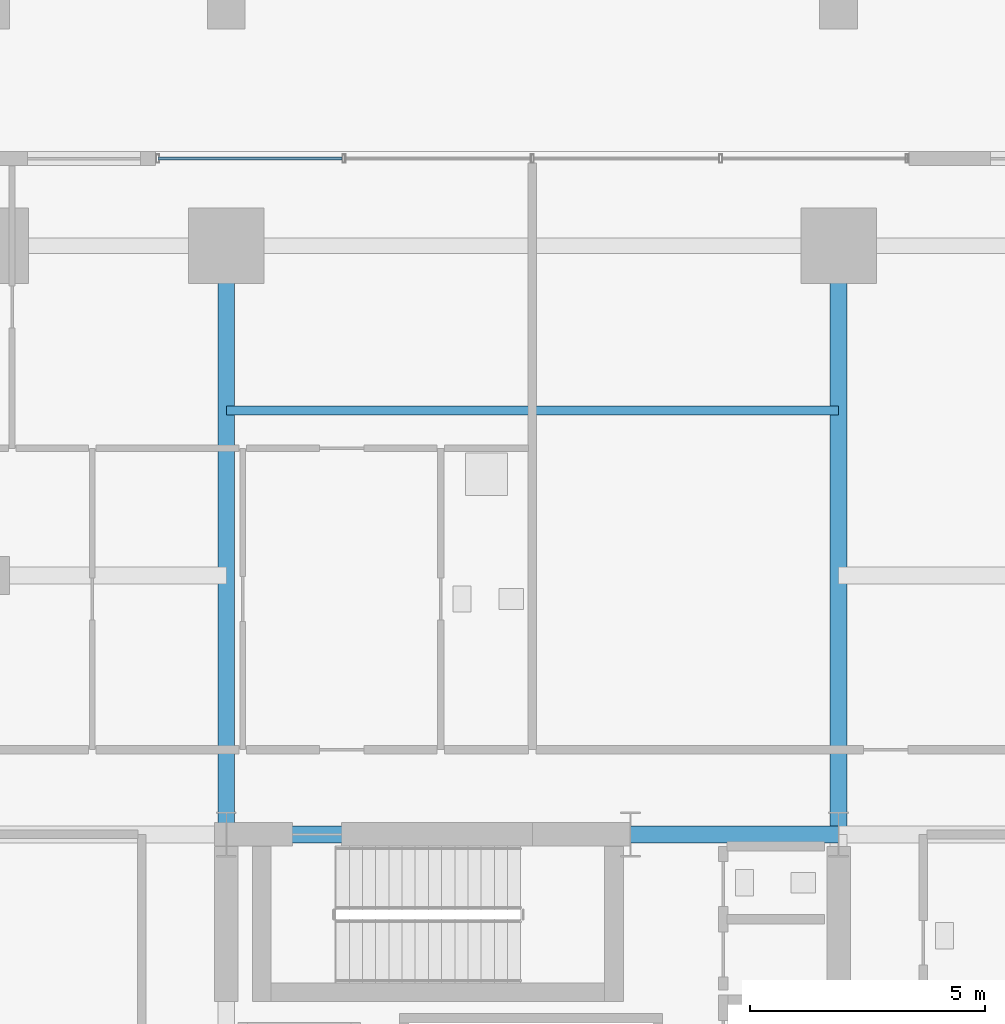
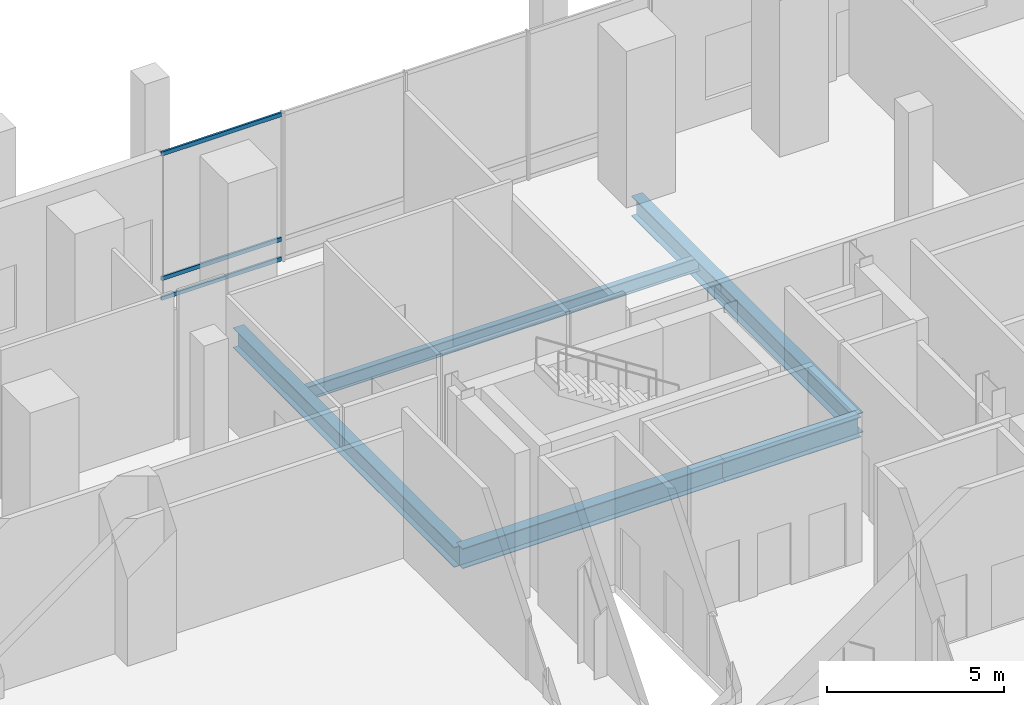
# One storey, part 16 of 36: 5 beams, 3 members, 1 element without a shape of its own.
"""IFC4 building model written with IfcOpenShell, lengths in metres."""

from ifc_helpers import new_model, si_unit, direction, frame, origin, origin_2d, place, context, subcontext, project, spatial, hollow_rectangle, i_section, extrude, material, layer, layer_set, material_profile, profile_set, type_object, element, aggregate, save


model = new_model("IFC4")

# Units and contexts
model_context = context("Model", 3, precision=1e-05, world=origin(), true_north=direction((0.0, 1.0)))
body_context = subcontext(model_context, "Body", "Model", "MODEL_VIEW")
ifc_project = project(units=[si_unit("LENGTHUNIT", "METRE"), si_unit("AREAUNIT", "SQUARE_METRE"), si_unit("VOLUMEUNIT", "CUBIC_METRE"), si_unit("PLANEANGLEUNIT", "RADIAN"), si_unit("MASSUNIT", "GRAM", prefix="KILO")], contexts=[model_context])

# Site, building, storey
site_placement = place(None, origin())
site = spatial("IfcSite", under=ifc_project, at=site_placement, CompositionType="ELEMENT")
building_placement = place(site_placement, origin())
building = spatial("IfcBuilding", under=site, at=building_placement, Name="Barlavira Tower and Art Museum", CompositionType="ELEMENT")
storey_placement = place(building_placement, frame((0.0, 0.0, 11.39990234375)))
storey = spatial("IfcBuildingStorey", under=building, at=storey_placement, Name="L02", CompositionType="ELEMENT", Elevation=11.39990234375)

# Curtain wall, members
ifc_material_1 = material(Name="Low-iron coastal laminated glass", Category="glass")
ifc_layer = layer(ifc_material_1, 0.179931640625, Name="Low-iron coastal laminated glass")
ifc_layer_set = layer_set([ifc_layer], Name="Low-iron coastal laminated glass")
curtain_wall_type = type_object("IfcCurtainWallType", Name="Pale-Metal Unitised Curtain Wall Zone 1", PredefinedType="NOTDEFINED", material=ifc_layer_set)
curtain_wall_placement = place(storey_placement, origin())
curtain_wall = element("IfcCurtainWall", 1, at=curtain_wall_placement, inside=storey, type_object=curtain_wall_type, Name="L02 Curtain Wall CW1-L02-N", PredefinedType="NOTDEFINED")
ifc_material_2 = material(Name="Pale anodised aluminium", Category="aluminium")
ifc_material_profile_1 = material_profile(ifc_material_2, hollow_rectangle(XDim=0.06494140625, YDim=0.139892578125, WallThickness=0.00390625, at=origin_2d()), Name="ALU-TRAN 65x140x4")
ifc_profile_set_1 = profile_set([ifc_material_profile_1], Name="Pale anodised aluminium")
member_type = type_object("IfcMemberType", Name="Curtain Wall Pale-Metal Transom 65x140", PredefinedType="USERDEFINED", material=ifc_profile_set_1)
member_1_placement = place(storey_placement, frame((-4.044921875, 21.85009765625, 0.070068359375), z_axis=(-1.0, 0.0, 0.0), x_axis=(0.0, -1.0, 0.0)))
member_1 = element("IfcMember", 2, at=member_1_placement, type_object=member_type, Name="CW1-L02-N Transom 3.1", ObjectType="TRANSOM", PredefinedType="USERDEFINED", context=body_context, shape_type="SweptSolid", body=[
    extrude(hollow_rectangle(XDim=0.06494140625, YDim=0.139892578125, WallThickness=0.00390625, at=origin_2d()), origin(), (0.0, 0.0, 1.0), 3.91015625),
])
member_2_placement = place(storey_placement, frame((-4.044921875, 21.85009765625, 0.75), z_axis=(-1.0, 0.0, 0.0), x_axis=(0.0, -1.0, 0.0)))
member_2 = element("IfcMember", 3, at=member_2_placement, type_object=member_type, Name="CW1-L02-N Transom 3.2", ObjectType="TRANSOM", PredefinedType="USERDEFINED", context=body_context, shape_type="SweptSolid", body=[
    extrude(hollow_rectangle(XDim=0.06494140625, YDim=0.139892578125, WallThickness=0.00390625, at=origin_2d()), origin(), (0.0, 0.0, 1.0), 3.91015625),
])
member_3_placement = place(storey_placement, frame((-4.044921875, 21.85009765625, 5.050048828125), z_axis=(-1.0, 0.0, 0.0), x_axis=(0.0, -1.0, 0.0)))
member_3 = element("IfcMember", 4, at=member_3_placement, type_object=member_type, Name="CW1-L02-N Transom 3.3", ObjectType="TRANSOM", PredefinedType="USERDEFINED", context=body_context, shape_type="SweptSolid", body=[
    extrude(hollow_rectangle(XDim=0.06494140625, YDim=0.139892578125, WallThickness=0.00390625, at=origin_2d()), origin(), (0.0, 0.0, 1.0), 3.91015625),
])
aggregate(curtain_wall, [member_1, member_2, member_3])

# Beams
ifc_material_3 = material(Name="Steel S355", Category="steel")
ifc_material_profile_2 = material_profile(ifc_material_3, i_section(OverallWidth=0.19189453125, OverallDepth=0.462890625, WebThickness=0.010498046875, FlangeThickness=0.017578125, at=origin_2d()), Name="W460x89.0")
ifc_profile_set_2 = profile_set([ifc_material_profile_2], Name="Steel S355")
beam_type_1 = type_object("IfcBeamType", Name="Podium Floor Joist W460x89 Steel S355", PredefinedType="JOIST", material=ifc_profile_set_2)
beam_1_placement = place(storey_placement, frame((-6.5, 16.5, -0.511474609375), z_axis=(1.0, 0.0, 0.0), x_axis=(0.0, 1.0, 0.0)))
element("IfcBeam", 5, at=beam_1_placement, inside=storey, type_object=beam_type_1, Name="L02 Joist C2", PredefinedType="JOIST", context=body_context, shape_type="SweptSolid", body=[
    extrude(i_section(OverallWidth=0.19189453125, OverallDepth=0.462890625, WebThickness=0.010498046875, FlangeThickness=0.017578125, at=origin_2d()), origin(), (0.0, 0.0, 1.0), 13.0),
])
ifc_material_profile_3 = material_profile(ifc_material_3, i_section(OverallWidth=0.35595703125, OverallDepth=0.695068359375, WebThickness=0.014892578125, FlangeThickness=0.023681640625, at=origin_2d()), Name="W690x192.0")
ifc_profile_set_3 = profile_set([ifc_material_profile_3], Name="Steel S355")
beam_type_2 = type_object("IfcBeamType", Name="Podium Primary Girder W690x192 Steel S355", PredefinedType="BEAM", material=ifc_profile_set_3)
beam_2_placement = place(storey_placement, frame((-6.5, 7.5, -0.62744140625), z_axis=(1.0, 0.0, 0.0), x_axis=(0.0, 1.0, 0.0)))
element("IfcBeam", 6, at=beam_2_placement, inside=storey, type_object=beam_type_2, Name="L02 Girder C-N1", PredefinedType="BEAM", context=body_context, shape_type="SweptSolid", body=[
    extrude(i_section(OverallWidth=0.35595703125, OverallDepth=0.695068359375, WebThickness=0.014892578125, FlangeThickness=0.023681640625, at=origin_2d()), origin(), (0.0, 0.0, 1.0), 8.580078125),
])
beam_3_placement = place(storey_placement, frame((2.080078125, 7.5, -0.62744140625), z_axis=(1.0, 0.0, 0.0), x_axis=(0.0, 1.0, 0.0)))
element("IfcBeam", 7, at=beam_3_placement, inside=storey, type_object=beam_type_2, Name="L02 Girder C-N2", PredefinedType="BEAM", context=body_context, shape_type="SweptSolid", body=[
    extrude(i_section(OverallWidth=0.35595703125, OverallDepth=0.695068359375, WebThickness=0.014892578125, FlangeThickness=0.023681640625, at=origin_2d()), origin(), (0.0, 0.0, 1.0), 4.419921875),
])
for number, where, z_axis, x_axis, name in (
    (8, (-6.5, 7.5, -0.62744140625), (0.0, 1.0, 0.0), (-1.0, 0.0, 0.0), "L02 Girder R-N1"),
    (9, (6.5, 7.5, -0.62744140625), (0.0, 1.0, 0.0), (-1.0, 0.0, 0.0), "L02 Girder R-N2"),
):
    element("IfcBeam", number, at=place(storey_placement, frame(where, z_axis=z_axis, x_axis=x_axis)), inside=storey, type_object=beam_type_2, Name=name, PredefinedType="BEAM", context=body_context, shape_type="SweptSolid", body=[
        extrude(i_section(OverallWidth=0.35595703125, OverallDepth=0.695068359375, WebThickness=0.014892578125, FlangeThickness=0.023681640625, at=origin_2d()), origin(), (0.0, 0.0, 1.0), 12.5),
    ])

save(model, "model.ifc")
